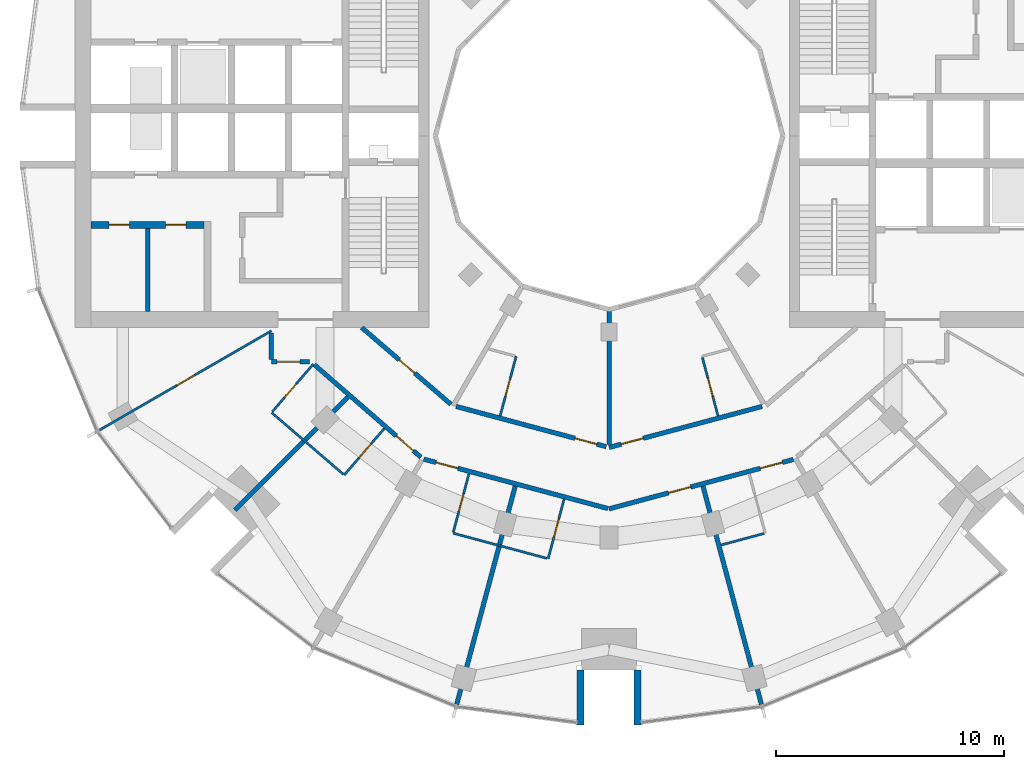
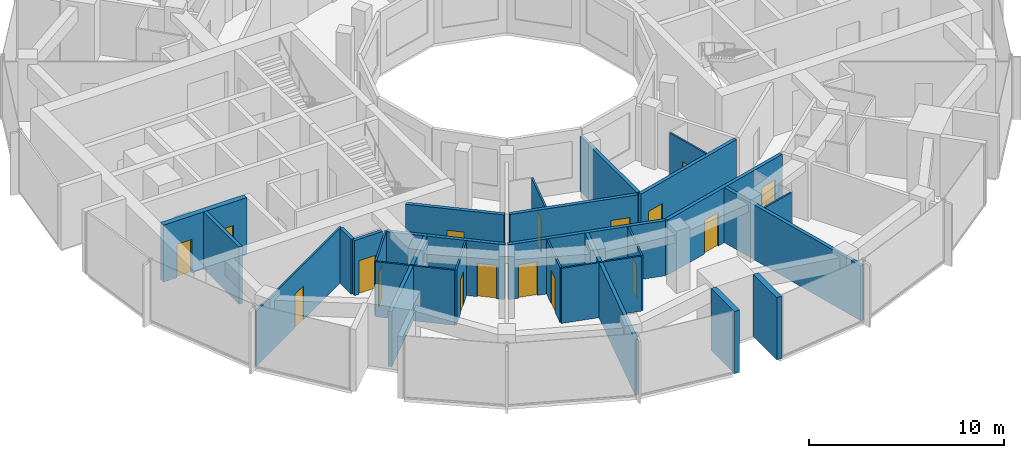
# One storey, part 8 of 15: 26 walls, 17 doors, 17 openings.
"""IFC4 building model written with IfcOpenShell, lengths in metres."""

from ifc_helpers import new_model, si_unit, direction, frame, frame_2d, origin, place, context, subcontext, project, spatial, rectangle, extrude, material, layer, layer_set, type_object, element, fill, save


model = new_model("IFC4")

# Units and contexts
model_context = context("Model", 3, precision=1e-05, world=origin(), true_north=direction((0.0, 1.0)))
body_context = subcontext(model_context, "Body", "Model", "MODEL_VIEW")
ifc_project = project(units=[si_unit("LENGTHUNIT", "METRE"), si_unit("AREAUNIT", "SQUARE_METRE"), si_unit("VOLUMEUNIT", "CUBIC_METRE"), si_unit("PLANEANGLEUNIT", "RADIAN"), si_unit("MASSUNIT", "GRAM", prefix="KILO")], contexts=[model_context])

# Site, building, storey
site_placement = place(None, origin())
site = spatial("IfcSite", under=ifc_project, at=site_placement, CompositionType="ELEMENT")
building_placement = place(site_placement, origin())
building = spatial("IfcBuilding", under=site, at=building_placement, Name="Torre Brocal", CompositionType="ELEMENT")
storey_placement = place(building_placement, frame((0.0, 0.0, 114.60009765625)))
storey = spatial("IfcBuildingStorey", under=building, at=storey_placement, Name="L26", CompositionType="ELEMENT", Elevation=114.60009765625)

# Wall
ifc_material_1 = material(Name="Masonry block", Category="masonry")
ifc_layer_1 = layer(ifc_material_1, 0.199951171875)
ifc_layer_set_1 = layer_set([ifc_layer_1], Name="Masonry block")
wall_type_1 = type_object("IfcWallType", Name="CORE PARTITION 200", PredefinedType="PARTITIONING", material=ifc_layer_set_1)
wall_1_placement = place(storey_placement, frame((59.77490234375, 70.949951171875, 0.0), z_axis=(0.0, 0.0, 1.0), x_axis=(0.0, -1.0, 0.0)))
element("IfcWall", 1, at=wall_1_placement, inside=storey, type_object=wall_type_1, Name="Wall CP200", PredefinedType="PARTITIONING", context=body_context, shape_type="SweptSolid", body=[
    extrude(rectangle(XDim=3.64990234375, YDim=0.199951171875, at=frame_2d((1.824951171875, 0.0))), origin(), (0.0, 0.0, 1.0), 3.579833984375),
])

# Wall, openings, doors
ifc_material_2 = material(Name="Concrete C70", Category="concrete")
ifc_layer_2 = layer(ifc_material_2, 0.300048828125)
ifc_layer_set_2 = layer_set([ifc_layer_2], Name="Concrete C70")
wall_type_2 = type_object("IfcWallType", Name="CORE WALL 300 C70", PredefinedType="SHEAR", material=ifc_layer_set_2)
wall_2_placement = place(storey_placement, frame((62.25, 71.10009765625, 0.0), z_axis=(0.0, 0.0, 1.0), x_axis=(-1.0, 0.0, 0.0)))
wall_2 = element("IfcWall", 2, at=wall_2_placement, inside=storey, type_object=wall_type_2, Name="Wall CW300-70", PredefinedType="SHEAR", context=body_context, shape_type="SweptSolid", body=[
    extrude(rectangle(XDim=4.949951171875, YDim=0.300048828125, at=frame_2d((2.47509765625, 0.0))), origin(), (0.0, 0.0, 1.0), 3.579833984375),
])
opening_1_placement = place(wall_2_placement, frame((0.78759765625, 0.0, 0.0)))
opening_1 = element("IfcOpeningElement", 3, at=opening_1_placement, cuts=wall_2, Name="Opening W-D05", PredefinedType="OPENING", context=body_context, shape_type="SweptSolid", body=[
    extrude(rectangle(XDim=0.89990234375, YDim=2.10009765625, at=frame_2d((0.449951171875, 1.050048828125))), frame((0.0, 0.159912109375, 0.0), z_axis=(0.0, -1.0, 0.0), x_axis=(1.0, 0.0, 0.0)), (0.0, 0.0, 1.0), 0.320068359375),
])
opening_2_placement = place(wall_2_placement, frame((3.262451171875, 0.0, 0.0)))
opening_2 = element("IfcOpeningElement", 4, at=opening_2_placement, cuts=wall_2, Name="Opening W-D06", PredefinedType="OPENING", context=body_context, shape_type="SweptSolid", body=[
    extrude(rectangle(XDim=0.89990234375, YDim=2.10009765625, at=frame_2d((0.449951171875, 1.050048828125))), frame((0.0, 0.159912109375, 0.0), z_axis=(0.0, -1.0, 0.0), x_axis=(1.0, 0.0, 0.0)), (0.0, 0.0, 1.0), 0.320068359375),
])
ifc_material_3 = material(Name="Steel A653", Category="steel")
door_type_1 = type_object("IfcDoorType", Name="ROOM DOOR FD30S 900X2100", OperationType="SINGLE_SWING_LEFT", PredefinedType="DOOR", material=ifc_material_3)
door_1_placement = place(opening_1_placement, origin())
door_1 = element("IfcDoor", 5, at=door_1_placement, inside=storey, type_object=door_type_1, Name="Door W-D05", OperationType="SINGLE_SWING_RIGHT", OverallHeight=2.10009765625, OverallWidth=0.89990234375, PredefinedType="DOOR", context=body_context, shape_type="SweptSolid", body=[
    extrude(rectangle(XDim=0.89990234375, YDim=2.10009765625, at=frame_2d((0.449951171875, 1.050048828125))), frame((0.0, 0.02490234375, 0.0), z_axis=(0.0, -1.0, 0.0), x_axis=(1.0, 0.0, 0.0)), (0.0, 0.0, 1.0), 0.050048828125),
])
fill(opening_1, door_1)
door_2_placement = place(opening_2_placement, origin())
door_2 = element("IfcDoor", 6, at=door_2_placement, inside=storey, type_object=door_type_1, Name="Door W-D06", OperationType="SINGLE_SWING_LEFT", OverallHeight=2.10009765625, OverallWidth=0.89990234375, PredefinedType="DOOR", context=body_context, shape_type="SweptSolid", body=[
    extrude(rectangle(XDim=0.89990234375, YDim=2.10009765625, at=frame_2d((0.449951171875, 1.050048828125))), frame((0.0, 0.02490234375, 0.0), z_axis=(0.0, -1.0, 0.0), x_axis=(1.0, 0.0, 0.0)), (0.0, 0.0, 1.0), 0.050048828125),
])
fill(opening_2, door_2)

# Walls
ifc_material_4 = material(Name="Concrete C70", Category="concrete")
ifc_layer_3 = layer(ifc_material_4, 0.300048828125)
ifc_layer_set_3 = layer_set([ifc_layer_3], Name="Concrete C70")
wall_type_3 = type_object("IfcWallType", Name="NOTCH RETURN WALL 300 C70", PredefinedType="NOTDEFINED", material=ifc_layer_set_3)
for number, where, z_axis, x_axis, name in (
    (7, (78.75, 51.60009765625, 0.0), (0.0, 0.0, 1.0), (0.0, -1.0, 0.0), "NOTCH RETURN WALL"),
    (8, (81.25, 51.60009765625, 0.0), (0.0, 0.0, 1.0), (0.0, -1.0, 0.0), "NOTCH RETURN WALL"),
):
    element("IfcWall", number, at=place(storey_placement, frame(where, z_axis=z_axis, x_axis=x_axis)), inside=storey, type_object=wall_type_3, Name=name, PredefinedType="NOTDEFINED", context=body_context, shape_type="SweptSolid", body=[
        extrude(rectangle(XDim=2.415771484375, YDim=0.300048828125, at=frame_2d((1.2080078125, 0.0))), origin(), (0.0, 0.0, 1.0), 3.89990234375),
    ])

# Wall, opening, door
ifc_material_5 = material(Name="Gypsum board", Category="Gypsum")
ifc_layer_4 = layer(ifc_material_5, 0.10009765625)
ifc_layer_set_4 = layer_set([ifc_layer_4], Name="Gypsum board")
wall_type_4 = type_object("IfcWallType", Name="PARTITION 100", PredefinedType="PARTITIONING", material=ifc_layer_set_4)
wall_3_placement = place(storey_placement, frame((57.65869140625, 62.10107421875, 0.0), z_axis=(0.0, 0.0, 1.0), x_axis=(0.86602264145, 0.500004784474, 0.0)))
wall_3 = element("IfcWall", 9, at=wall_3_placement, inside=storey, type_object=wall_type_4, Name="ROOM PARTITION", PredefinedType="PARTITIONING", context=body_context, shape_type="SweptSolid", body=[
    extrude(rectangle(XDim=8.7080078125, YDim=0.10009765625, at=frame_2d((4.35400390625, 0.0))), origin(), (0.0, 0.0, 1.0), 3.449951171875),
])
opening_3_placement = place(wall_3_placement, frame((3.928955078125, 0.0, 0.0)))
opening_3 = element("IfcOpeningElement", 10, at=opening_3_placement, cuts=wall_3, Name="Opening E01-D34", PredefinedType="OPENING", context=body_context, shape_type="SweptSolid", body=[
    extrude(rectangle(XDim=0.89990234375, YDim=2.10009765625, at=frame_2d((0.449951171875, 1.050048828125))), frame((0.0, 0.06005859375, 0.0), z_axis=(0.0, -1.0, 0.0), x_axis=(1.0, 0.0, 0.0)), (0.0, 0.0, 1.0), 0.1201171875),
])
ifc_material_6 = material(Name="Timber", Category="wood")
door_type_2 = type_object("IfcDoorType", Name="ROOM DOOR 900X2100", OperationType="SINGLE_SWING_LEFT", PredefinedType="DOOR", material=ifc_material_6)
door_3_placement = place(opening_3_placement, origin())
door_3 = element("IfcDoor", 11, at=door_3_placement, inside=storey, type_object=door_type_2, Name="E01-D34", OperationType="SINGLE_SWING_RIGHT", OverallHeight=2.10009765625, OverallWidth=0.89990234375, PredefinedType="DOOR", context=body_context, shape_type="SweptSolid", body=[
    extrude(rectangle(XDim=0.89990234375, YDim=2.10009765625, at=frame_2d((0.449951171875, 1.050048828125))), frame((0.0, 0.02490234375, 0.0), z_axis=(0.0, -1.0, 0.0), x_axis=(1.0, 0.0, 0.0)), (0.0, 0.0, 1.0), 0.050048828125),
])
fill(opening_3, door_3)

wall_4_placement = place(storey_placement, frame((65.24169921875, 62.911865234375, 0.0), z_axis=(0.0, 0.0, 1.0), x_axis=(0.652069888227, 0.758158862553, 0.0)))
wall_4 = element("IfcWall", 12, at=wall_4_placement, inside=storey, type_object=wall_type_4, Name="BATHROOM WALL", PredefinedType="PARTITIONING", context=body_context, shape_type="SweptSolid", body=[
    extrude(rectangle(XDim=2.75, YDim=0.10009765625, at=frame_2d((1.375, 0.0))), origin(), (0.0, 0.0, 1.0), 3.449951171875),
])
opening_4_placement = place(wall_4_placement, frame((0.800048828125, 0.0, 0.0)))
opening_4 = element("IfcOpeningElement", 13, at=opening_4_placement, cuts=wall_4, Name="Opening E01-D33", PredefinedType="OPENING", context=body_context, shape_type="SweptSolid", body=[
    extrude(rectangle(XDim=0.800048828125, YDim=2.10009765625, at=frame_2d((0.39990234375, 1.050048828125))), frame((0.0, 0.06005859375, 0.0), z_axis=(0.0, -1.0, 0.0), x_axis=(1.0, 0.0, 0.0)), (0.0, 0.0, 1.0), 0.1201171875),
])
ifc_material_7 = material(Name="Timber", Category="wood")
door_type_3 = type_object("IfcDoorType", Name="BATHROOM DOOR 800X2100", OperationType="SINGLE_SWING_LEFT", PredefinedType="DOOR", material=ifc_material_7)
door_4_placement = place(opening_4_placement, frame((0.800048828125, 0.0, 0.0), z_axis=(0.0, 0.0, 1.0), x_axis=(-1.0, 0.0, 0.0)))
door_4 = element("IfcDoor", 14, at=door_4_placement, inside=storey, type_object=door_type_3, Name="E01-D33", OperationType="SINGLE_SWING_RIGHT", OverallHeight=2.10009765625, OverallWidth=0.800048828125, PredefinedType="DOOR", context=body_context, shape_type="SweptSolid", body=[
    extrude(rectangle(XDim=0.800048828125, YDim=2.10009765625, at=frame_2d((0.39990234375, 1.050048828125))), frame((0.0, 0.02490234375, 0.0), z_axis=(0.0, -1.0, 0.0), x_axis=(1.0, 0.0, 0.0)), (0.0, 0.0, 1.0), 0.050048828125),
])
fill(opening_4, door_4)

# Wall
wall_5_placement = place(storey_placement, frame((65.209228515625, 62.87451171875, 0.0), z_axis=(0.0, 0.0, 1.0), x_axis=(0.757930378138, -0.652335451969, 0.0)))
element("IfcWall", 15, at=wall_5_placement, inside=storey, type_object=wall_type_4, Name="BATHROOM WALL", PredefinedType="PARTITIONING", context=body_context, shape_type="SweptSolid", body=[
    extrude(rectangle(XDim=4.150146484375, YDim=0.10009765625, at=frame_2d((2.0751953125, 0.0))), origin(), (0.0, 0.0, 1.0), 3.449951171875),
])

# Wall, opening, door
wall_6_placement = place(storey_placement, frame((68.39306640625, 60.135009765625, 0.0), z_axis=(0.0, 0.0, 1.0), x_axis=(0.652061182569, 0.758166349944, 0.0)))
wall_6 = element("IfcWall", 16, at=wall_6_placement, inside=storey, type_object=wall_type_4, Name="BATHROOM WALL", PredefinedType="PARTITIONING", context=body_context, shape_type="SweptSolid", body=[
    extrude(rectangle(XDim=2.689697265625, YDim=0.10009765625, at=frame_2d((1.3447265625, 0.0))), origin(), (0.0, 0.0, 1.0), 3.449951171875),
])
opening_5_placement = place(wall_6_placement, frame((1.0, 0.0, 0.0)))
opening_5 = element("IfcOpeningElement", 17, at=opening_5_placement, cuts=wall_6, Name="Opening E01-D31", PredefinedType="OPENING", context=body_context, shape_type="SweptSolid", body=[
    extrude(rectangle(XDim=0.800048828125, YDim=2.10009765625, at=frame_2d((0.39990234375, 1.050048828125))), frame((0.0, 0.06005859375, 0.0), z_axis=(0.0, -1.0, 0.0), x_axis=(1.0, 0.0, 0.0)), (0.0, 0.0, 1.0), 0.1201171875),
])
door_5_placement = place(opening_5_placement, origin())
door_5 = element("IfcDoor", 18, at=door_5_placement, inside=storey, type_object=door_type_3, Name="E01-D31", OperationType="SINGLE_SWING_RIGHT", OverallHeight=2.10009765625, OverallWidth=0.800048828125, PredefinedType="DOOR", context=body_context, shape_type="SweptSolid", body=[
    extrude(rectangle(XDim=0.800048828125, YDim=2.10009765625, at=frame_2d((0.39990234375, 1.050048828125))), frame((0.0, 0.02490234375, 0.0), z_axis=(0.0, -1.0, 0.0), x_axis=(1.0, 0.0, 0.0)), (0.0, 0.0, 1.0), 0.050048828125),
])
fill(opening_5, door_5)

wall_7_placement = place(storey_placement, frame((73.173828125, 57.63623046875, 0.0), z_axis=(0.0, 0.0, 1.0), x_axis=(0.258952498977, 0.96589005755, 0.0)))
wall_7 = element("IfcWall", 19, at=wall_7_placement, inside=storey, type_object=wall_type_4, Name="BATHROOM WALL", PredefinedType="PARTITIONING", context=body_context, shape_type="SweptSolid", body=[
    extrude(rectangle(XDim=2.650146484375, YDim=0.10009765625, at=frame_2d((1.3251953125, 0.0))), origin(), (0.0, 0.0, 1.0), 3.449951171875),
])
opening_6_placement = place(wall_7_placement, frame((0.9501953125, 0.0, 0.0)))
opening_6 = element("IfcOpeningElement", 20, at=opening_6_placement, cuts=wall_7, Name="Opening E01-D29", PredefinedType="OPENING", context=body_context, shape_type="SweptSolid", body=[
    extrude(rectangle(XDim=0.800048828125, YDim=2.10009765625, at=frame_2d((0.39990234375, 1.050048828125))), frame((0.0, 0.06005859375, 0.0), z_axis=(0.0, -1.0, 0.0), x_axis=(1.0, 0.0, 0.0)), (0.0, 0.0, 1.0), 0.1201171875),
])
door_6_placement = place(opening_6_placement, frame((0.800048828125, 0.0, 0.0), z_axis=(0.0, 0.0, 1.0), x_axis=(-1.0, 0.0, 0.0)))
door_6 = element("IfcDoor", 21, at=door_6_placement, inside=storey, type_object=door_type_3, Name="E01-D29", OperationType="SINGLE_SWING_LEFT", OverallHeight=2.10009765625, OverallWidth=0.800048828125, PredefinedType="DOOR", context=body_context, shape_type="SweptSolid", body=[
    extrude(rectangle(XDim=0.800048828125, YDim=2.10009765625, at=frame_2d((0.39990234375, 1.050048828125))), frame((0.0, 0.02490234375, 0.0), z_axis=(0.0, -1.0, 0.0), x_axis=(1.0, 0.0, 0.0)), (0.0, 0.0, 1.0), 0.050048828125),
])
fill(opening_6, door_6)

# Wall
wall_8_placement = place(storey_placement, frame((73.1611328125, 57.58837890625, 0.0), z_axis=(0.0, 0.0, 1.0), x_axis=(0.965858226827, -0.259071198071, 0.0)))
element("IfcWall", 22, at=wall_8_placement, inside=storey, type_object=wall_type_4, Name="BATHROOM WALL", PredefinedType="PARTITIONING", context=body_context, shape_type="SweptSolid", body=[
    extrude(rectangle(XDim=4.260498046875, YDim=0.10009765625, at=frame_2d((2.13037109375, 0.0))), origin(), (0.0, 0.0, 1.0), 3.449951171875),
])

# Wall, opening, door
wall_9_placement = place(storey_placement, frame((75.226806640625, 62.728759765625, 0.0), z_axis=(0.0, 0.0, 1.0), x_axis=(0.258945475746, 0.965891940432, 0.0)))
wall_9 = element("IfcWall", 23, at=wall_9_placement, inside=storey, type_object=wall_type_4, Name="BATHROOM WALL", PredefinedType="PARTITIONING", context=body_context, shape_type="SweptSolid", body=[
    extrude(rectangle(XDim=2.7001953125, YDim=0.10009765625, at=frame_2d((1.35009765625, 0.0))), origin(), (0.0, 0.0, 1.0), 3.449951171875),
])
opening_7_placement = place(wall_9_placement, frame((0.900146484375, 0.0, 0.0)))
opening_7 = element("IfcOpeningElement", 24, at=opening_7_placement, cuts=wall_9, Name="Opening E01-D39", PredefinedType="OPENING", context=body_context, shape_type="SweptSolid", body=[
    extrude(rectangle(XDim=0.800048828125, YDim=2.10009765625, at=frame_2d((0.39990234375, 1.050048828125))), frame((0.0, 0.06005859375, 0.0), z_axis=(0.0, -1.0, 0.0), x_axis=(1.0, 0.0, 0.0)), (0.0, 0.0, 1.0), 0.1201171875),
])
door_7_placement = place(opening_7_placement, origin())
door_7 = element("IfcDoor", 25, at=door_7_placement, inside=storey, type_object=door_type_3, Name="E01-D39", OperationType="SINGLE_SWING_LEFT", OverallHeight=2.10009765625, OverallWidth=0.800048828125, PredefinedType="DOOR", context=body_context, shape_type="SweptSolid", body=[
    extrude(rectangle(XDim=0.800048828125, YDim=2.10009765625, at=frame_2d((0.39990234375, 1.050048828125))), frame((0.0, 0.02490234375, 0.0), z_axis=(0.0, -1.0, 0.0), x_axis=(1.0, 0.0, 0.0)), (0.0, 0.0, 1.0), 0.050048828125),
])
fill(opening_7, door_7)

wall_10_placement = place(storey_placement, frame((77.32861328125, 56.47119140625, 0.0), z_axis=(0.0, 0.0, 1.0), x_axis=(0.259013334072, 0.965873745773, 0.0)))
wall_10 = element("IfcWall", 26, at=wall_10_placement, inside=storey, type_object=wall_type_4, Name="BATHROOM WALL", PredefinedType="PARTITIONING", context=body_context, shape_type="SweptSolid", body=[
    extrude(rectangle(XDim=2.699462890625, YDim=0.10009765625, at=frame_2d((1.349609375, 0.0))), origin(), (0.0, 0.0, 1.0), 3.449951171875),
])
opening_8_placement = place(wall_10_placement, frame((0.999755859375, 0.0, 0.0)))
opening_8 = element("IfcOpeningElement", 27, at=opening_8_placement, cuts=wall_10, Name="Opening E01-D27", PredefinedType="OPENING", context=body_context, shape_type="SweptSolid", body=[
    extrude(rectangle(XDim=0.800048828125, YDim=2.10009765625, at=frame_2d((0.39990234375, 1.050048828125))), frame((0.0, 0.06005859375, 0.0), z_axis=(0.0, -1.0, 0.0), x_axis=(1.0, 0.0, 0.0)), (0.0, 0.0, 1.0), 0.1201171875),
])
door_8_placement = place(opening_8_placement, origin())
door_8 = element("IfcDoor", 28, at=door_8_placement, inside=storey, type_object=door_type_3, Name="E01-D27", OperationType="SINGLE_SWING_RIGHT", OverallHeight=2.10009765625, OverallWidth=0.800048828125, PredefinedType="DOOR", context=body_context, shape_type="SweptSolid", body=[
    extrude(rectangle(XDim=0.800048828125, YDim=2.10009765625, at=frame_2d((0.39990234375, 1.050048828125))), frame((0.0, 0.02490234375, 0.0), z_axis=(0.0, -1.0, 0.0), x_axis=(1.0, 0.0, 0.0)), (0.0, 0.0, 1.0), 0.050048828125),
])
fill(opening_8, door_8)

wall_11_placement = place(storey_placement, frame((84.0869140625, 65.288818359375, 0.0), z_axis=(0.0, 0.0, 1.0), x_axis=(0.258929459649, -0.965896234037, 0.0)))
wall_11 = element("IfcWall", 29, at=wall_11_placement, inside=storey, type_object=wall_type_4, Name="BATHROOM WALL", PredefinedType="PARTITIONING", context=body_context, shape_type="SweptSolid", body=[
    extrude(rectangle(XDim=2.650390625, YDim=0.10009765625, at=frame_2d((1.3251953125, 0.0))), origin(), (0.0, 0.0, 1.0), 3.449951171875),
])
opening_9_placement = place(wall_11_placement, frame((0.9501953125, 0.0, 0.0)))
opening_9 = element("IfcOpeningElement", 30, at=opening_9_placement, cuts=wall_11, Name="Opening E01-D37", PredefinedType="OPENING", context=body_context, shape_type="SweptSolid", body=[
    extrude(rectangle(XDim=0.800048828125, YDim=2.10009765625, at=frame_2d((0.39990234375, 1.050048828125))), frame((0.0, 0.06005859375, 0.0), z_axis=(0.0, -1.0, 0.0), x_axis=(1.0, 0.0, 0.0)), (0.0, 0.0, 1.0), 0.1201171875),
])
door_9_placement = place(opening_9_placement, origin())
door_9 = element("IfcDoor", 31, at=door_9_placement, inside=storey, type_object=door_type_3, Name="E01-D37", OperationType="SINGLE_SWING_RIGHT", OverallHeight=2.10009765625, OverallWidth=0.800048828125, PredefinedType="DOOR", context=body_context, shape_type="SweptSolid", body=[
    extrude(rectangle(XDim=0.800048828125, YDim=2.10009765625, at=frame_2d((0.39990234375, 1.050048828125))), frame((0.0, 0.02490234375, 0.0), z_axis=(0.0, -1.0, 0.0), x_axis=(1.0, 0.0, 0.0)), (0.0, 0.0, 1.0), 0.050048828125),
])
fill(opening_9, door_9)

# Walls
wall_12_placement = place(storey_placement, frame((84.90771484375, 57.06982421875, 0.0), z_axis=(0.0, 0.0, 1.0), x_axis=(0.965853538138, 0.25908867761, 0.0)))
element("IfcWall", 32, at=wall_12_placement, inside=storey, type_object=wall_type_4, Name="BATHROOM WALL", PredefinedType="PARTITIONING", context=body_context, shape_type="SweptSolid", body=[
    extrude(rectangle(XDim=1.94970703125, YDim=0.10009765625, at=frame_2d((0.974853515625, 0.0))), origin(), (0.0, 0.0, 1.0), 3.449951171875),
])
ifc_material_8 = material(Name="Gypsum board", Category="Gypsum")
ifc_layer_5 = layer(ifc_material_8, 0.199951171875)
ifc_layer_set_5 = layer_set([ifc_layer_5], Name="Gypsum board")
wall_type_5 = type_object("IfcWallType", Name="PARTITION 200 EI60", PredefinedType="PARTITIONING", material=ifc_layer_set_5)
wall_13_placement = place(storey_placement, frame((63.595703125, 58.595703125, 0.0), z_axis=(0.0, 0.0, 1.0), x_axis=(0.707106781187, 0.707106781187, 0.0)))
element("IfcWall", 33, at=wall_13_placement, inside=storey, type_object=wall_type_5, Name="BATHROOM WALL", PredefinedType="PARTITIONING", context=body_context, shape_type="SweptSolid", body=[
    extrude(rectangle(XDim=7.00537109375, YDim=0.199951171875, at=frame_2d((3.502685546875, 0.0))), origin(), (0.0, 0.0, 1.0), 3.449951171875),
])
wall_14_placement = place(storey_placement, frame((65.199951171875, 65.199951171875, 0.0), z_axis=(0.0, 0.0, 1.0), x_axis=(0.0, 1.0, 0.0)))
element("IfcWall", 34, at=wall_14_placement, inside=storey, type_object=wall_type_5, Name="GUESTROOM CORRIDOR WALL", PredefinedType="PARTITIONING", context=body_context, shape_type="SweptSolid", body=[
    extrude(rectangle(XDim=1.150146484375, YDim=0.199951171875, at=frame_2d((0.5751953125, 0.0))), origin(), (0.0, 0.0, 1.0), 3.449951171875),
])

# Wall, opening, door
wall_15_placement = place(storey_placement, frame((65.199951171875, 65.10009765625, 0.0), z_axis=(0.0, 0.0, 1.0), x_axis=(1.0, 0.0, 0.0)))
wall_15 = element("IfcWall", 35, at=wall_15_placement, inside=storey, type_object=wall_type_5, Name="GUESTROOM CORRIDOR WALL", PredefinedType="PARTITIONING", context=body_context, shape_type="SweptSolid", body=[
    extrude(rectangle(XDim=1.6650390625, YDim=0.199951171875, at=frame_2d((0.83251953125, 0.0))), origin(), (0.0, 0.0, 1.0), 3.449951171875),
])
opening_10_placement = place(wall_15_placement, frame((0.25, 0.0, 0.0)))
opening_10 = element("IfcOpeningElement", 36, at=opening_10_placement, cuts=wall_15, Name="Opening E01-D32", PredefinedType="OPENING", context=body_context, shape_type="SweptSolid", body=[
    extrude(rectangle(XDim=1.0, YDim=2.10009765625, at=frame_2d((0.5, 1.050048828125))), frame((0.0, 0.10986328125, 0.0), z_axis=(0.0, -1.0, 0.0), x_axis=(1.0, 0.0, 0.0)), (0.0, 0.0, 1.0), 0.219970703125),
])
ifc_material_9 = material(Name="Timber", Category="wood")
door_type_4 = type_object("IfcDoorType", Name="FLAT ENTRY DOOR FD30S 1000X2100", OperationType="SINGLE_SWING_RIGHT", PredefinedType="DOOR", material=ifc_material_9)
door_10_placement = place(opening_10_placement, frame((1.0, 0.0, 0.0), z_axis=(0.0, 0.0, 1.0), x_axis=(-1.0, 0.0, 0.0)))
door_10 = element("IfcDoor", 37, at=door_10_placement, inside=storey, type_object=door_type_4, Name="E01-D32", OperationType="SINGLE_SWING_RIGHT", OverallHeight=2.10009765625, OverallWidth=1.0, PredefinedType="DOOR", context=body_context, shape_type="SweptSolid", body=[
    extrude(rectangle(XDim=1.0, YDim=2.10009765625, at=frame_2d((0.5, 1.050048828125))), frame((0.0, 0.02490234375, 0.0), z_axis=(0.0, -1.0, 0.0), x_axis=(1.0, 0.0, 0.0)), (0.0, 0.0, 1.0), 0.050048828125),
])
fill(opening_10, door_10)

wall_16_placement = place(storey_placement, frame((67.081298828125, 64.97119140625, 0.0), z_axis=(0.0, 0.0, 1.0), x_axis=(0.755031061605, -0.65568902386, 0.0)))
wall_16 = element("IfcWall", 38, at=wall_16_placement, inside=storey, type_object=wall_type_5, Name="GUESTROOM CORRIDOR WALL", PredefinedType="PARTITIONING", context=body_context, shape_type="SweptSolid", body=[
    extrude(rectangle(XDim=6.185791015625, YDim=0.199951171875, at=frame_2d((3.0927734375, 0.0))), origin(), (0.0, 0.0, 1.0), 3.449951171875),
])
opening_11_placement = place(wall_16_placement, frame((4.755126953125, 0.0, 0.0)))
opening_11 = element("IfcOpeningElement", 39, at=opening_11_placement, cuts=wall_16, Name="Opening E01-D30", PredefinedType="OPENING", context=body_context, shape_type="SweptSolid", body=[
    extrude(rectangle(XDim=1.0, YDim=2.10009765625, at=frame_2d((0.5, 1.050048828125))), frame((0.0, 0.10986328125, 0.0), z_axis=(0.0, -1.0, 0.0), x_axis=(1.0, 0.0, 0.0)), (0.0, 0.0, 1.0), 0.219970703125),
])
door_11_placement = place(opening_11_placement, frame((1.0, 0.0, 0.0), z_axis=(0.0, 0.0, 1.0), x_axis=(-1.0, 0.0, 0.0)))
door_11 = element("IfcDoor", 40, at=door_11_placement, inside=storey, type_object=door_type_4, Name="E01-D30", OperationType="SINGLE_SWING_LEFT", OverallHeight=2.10009765625, OverallWidth=1.0, PredefinedType="DOOR", context=body_context, shape_type="SweptSolid", body=[
    extrude(rectangle(XDim=1.0, YDim=2.10009765625, at=frame_2d((0.5, 1.050048828125))), frame((0.0, 0.02490234375, 0.0), z_axis=(0.0, -1.0, 0.0), x_axis=(1.0, 0.0, 0.0)), (0.0, 0.0, 1.0), 0.050048828125),
])
fill(opening_11, door_11)

wall_17_placement = place(storey_placement, frame((69.157958984375, 66.60009765625, 0.0), z_axis=(0.0, 0.0, 1.0), x_axis=(0.758063092745, -0.652181222835, 0.0)))
wall_17 = element("IfcWall", 41, at=wall_17_placement, inside=storey, type_object=wall_type_5, Name="CORRIDOR WALL", PredefinedType="PARTITIONING", context=body_context, shape_type="SweptSolid", body=[
    extrude(rectangle(XDim=5.160400390625, YDim=0.199951171875, at=frame_2d((2.580078125, 0.0))), origin(), (0.0, 0.0, 1.0), 3.449951171875),
])
opening_12_placement = place(wall_17_placement, frame((2.165283203125, 0.0, 0.0)))
opening_12 = element("IfcOpeningElement", 42, at=opening_12_placement, cuts=wall_17, Name="Opening E01-D40", PredefinedType="OPENING", context=body_context, shape_type="SweptSolid", body=[
    extrude(rectangle(XDim=0.89990234375, YDim=2.10009765625, at=frame_2d((0.449951171875, 1.050048828125))), frame((0.0, 0.10986328125, 0.0), z_axis=(0.0, -1.0, 0.0), x_axis=(1.0, 0.0, 0.0)), (0.0, 0.0, 1.0), 0.219970703125),
])
door_12_placement = place(opening_12_placement, origin())
door_12 = element("IfcDoor", 43, at=door_12_placement, inside=storey, type_object=door_type_2, Name="E01-D40", OperationType="SINGLE_SWING_LEFT", OverallHeight=2.10009765625, OverallWidth=0.89990234375, PredefinedType="DOOR", context=body_context, shape_type="SweptSolid", body=[
    extrude(rectangle(XDim=0.89990234375, YDim=2.10009765625, at=frame_2d((0.449951171875, 1.050048828125))), frame((0.0, 0.02490234375, 0.0), z_axis=(0.0, -1.0, 0.0), x_axis=(1.0, 0.0, 0.0)), (0.0, 0.0, 1.0), 0.050048828125),
])
fill(opening_12, door_12)

wall_18_placement = place(storey_placement, frame((71.877197265625, 60.831787109375, 0.0), z_axis=(0.0, 0.0, 1.0), x_axis=(0.965857276008, -0.259074742848, 0.0)))
wall_18 = element("IfcWall", 44, at=wall_18_placement, inside=storey, type_object=wall_type_5, Name="GUESTROOM CORRIDOR WALL", PredefinedType="PARTITIONING", context=body_context, shape_type="SweptSolid", body=[
    extrude(rectangle(XDim=8.359619140625, YDim=0.199951171875, at=frame_2d((4.1796875, 0.0))), origin(), (0.0, 0.0, 1.0), 3.449951171875),
])
opening_13_placement = place(wall_18_placement, frame((0.550048828125, 0.0, 0.0)))
opening_13 = element("IfcOpeningElement", 45, at=opening_13_placement, cuts=wall_18, Name="Opening E01-D28", PredefinedType="OPENING", context=body_context, shape_type="SweptSolid", body=[
    extrude(rectangle(XDim=1.0, YDim=2.10009765625, at=frame_2d((0.5, 1.050048828125))), frame((0.0, 0.10986328125, 0.0), z_axis=(0.0, -1.0, 0.0), x_axis=(1.0, 0.0, 0.0)), (0.0, 0.0, 1.0), 0.219970703125),
])
door_13_placement = place(opening_13_placement, frame((1.0, 0.0, 0.0), z_axis=(0.0, 0.0, 1.0), x_axis=(-1.0, 0.0, 0.0)))
door_13 = element("IfcDoor", 46, at=door_13_placement, inside=storey, type_object=door_type_4, Name="E01-D28", OperationType="SINGLE_SWING_LEFT", OverallHeight=2.10009765625, OverallWidth=1.0, PredefinedType="DOOR", context=body_context, shape_type="SweptSolid", body=[
    extrude(rectangle(XDim=1.0, YDim=2.10009765625, at=frame_2d((0.5, 1.050048828125))), frame((0.0, 0.02490234375, 0.0), z_axis=(0.0, -1.0, 0.0), x_axis=(1.0, 0.0, 0.0)), (0.0, 0.0, 1.0), 0.050048828125),
])
fill(opening_13, door_13)

wall_19_placement = place(storey_placement, frame((73.296875, 63.142578125, 0.0), z_axis=(0.0, 0.0, 1.0), x_axis=(0.965859030528, -0.25906820173, 0.0)))
wall_19 = element("IfcWall", 47, at=wall_19_placement, inside=storey, type_object=wall_type_5, Name="GUESTROOM CORRIDOR WALL", PredefinedType="PARTITIONING", context=body_context, shape_type="SweptSolid", body=[
    extrude(rectangle(XDim=6.8095703125, YDim=0.199951171875, at=frame_2d((3.40478515625, 0.0))), origin(), (0.0, 0.0, 1.0), 3.449951171875),
])
opening_14_placement = place(wall_19_placement, frame((5.3896484375, 0.0, 0.0)))
opening_14 = element("IfcOpeningElement", 48, at=opening_14_placement, cuts=wall_19, Name="Opening E01-D38", PredefinedType="OPENING", context=body_context, shape_type="SweptSolid", body=[
    extrude(rectangle(XDim=1.0, YDim=2.10009765625, at=frame_2d((0.5, 1.050048828125))), frame((0.0, 0.10986328125, 0.0), z_axis=(0.0, -1.0, 0.0), x_axis=(1.0, 0.0, 0.0)), (0.0, 0.0, 1.0), 0.219970703125),
])
door_14_placement = place(opening_14_placement, origin())
door_14 = element("IfcDoor", 49, at=door_14_placement, inside=storey, type_object=door_type_4, Name="E01-D38", OperationType="SINGLE_SWING_RIGHT", OverallHeight=2.10009765625, OverallWidth=1.0, PredefinedType="DOOR", context=body_context, shape_type="SweptSolid", body=[
    extrude(rectangle(XDim=1.0, YDim=2.10009765625, at=frame_2d((0.5, 1.050048828125))), frame((0.0, 0.02490234375, 0.0), z_axis=(0.0, -1.0, 0.0), x_axis=(1.0, 0.0, 0.0)), (0.0, 0.0, 1.0), 0.050048828125),
])
fill(opening_14, door_14)

# Wall
wall_20_placement = place(storey_placement, frame((73.32080078125, 50.082275390625, 0.0), z_axis=(0.0, 0.0, 1.0), x_axis=(0.259057928998, 0.96586178588, 0.0)))
element("IfcWall", 50, at=wall_20_placement, inside=storey, type_object=wall_type_5, Name="BATHROOM WALL", PredefinedType="PARTITIONING", context=body_context, shape_type="SweptSolid", body=[
    extrude(rectangle(XDim=9.90869140625, YDim=0.199951171875, at=frame_2d((4.954345703125, 0.0))), origin(), (0.0, 0.0, 1.0), 3.449951171875),
])

# Wall, openings, doors
wall_21_placement = place(storey_placement, frame((79.999755859375, 58.65478515625, 0.0), z_axis=(0.0, 0.0, 1.0), x_axis=(0.965967338894, 0.258664068224, 0.0)))
wall_21 = element("IfcWall", 51, at=wall_21_placement, inside=storey, type_object=wall_type_5, Name="GUESTROOM CORRIDOR WALL", PredefinedType="PARTITIONING", context=body_context, shape_type="SweptSolid", body=[
    extrude(rectangle(XDim=8.359619140625, YDim=0.199951171875, at=frame_2d((4.1796875, 0.0))), origin(), (0.0, 0.0, 1.0), 3.449951171875),
])
opening_15_placement = place(wall_21_placement, frame((6.859619140625, 0.0, 0.0)))
opening_15 = element("IfcOpeningElement", 52, at=opening_15_placement, cuts=wall_21, Name="Opening E01-D24", PredefinedType="OPENING", context=body_context, shape_type="SweptSolid", body=[
    extrude(rectangle(XDim=1.0, YDim=2.10009765625, at=frame_2d((0.5, 1.050048828125))), frame((0.0, 0.10986328125, 0.0), z_axis=(0.0, -1.0, 0.0), x_axis=(1.0, 0.0, 0.0)), (0.0, 0.0, 1.0), 0.219970703125),
])
opening_16_placement = place(wall_21_placement, frame((2.69970703125, 0.0, 0.0)))
opening_16 = element("IfcOpeningElement", 53, at=opening_16_placement, cuts=wall_21, Name="Opening E01-D26", PredefinedType="OPENING", context=body_context, shape_type="SweptSolid", body=[
    extrude(rectangle(XDim=1.0, YDim=2.10009765625, at=frame_2d((0.5, 1.050048828125))), frame((0.0, 0.10986328125, 0.0), z_axis=(0.0, -1.0, 0.0), x_axis=(1.0, 0.0, 0.0)), (0.0, 0.0, 1.0), 0.219970703125),
])
door_15_placement = place(opening_15_placement, frame((1.0, 0.0, 0.0), z_axis=(0.0, 0.0, 1.0), x_axis=(-1.0, 0.0, 0.0)))
door_15 = element("IfcDoor", 54, at=door_15_placement, inside=storey, type_object=door_type_4, Name="E01-D24", OperationType="SINGLE_SWING_RIGHT", OverallHeight=2.10009765625, OverallWidth=1.0, PredefinedType="DOOR", context=body_context, shape_type="SweptSolid", body=[
    extrude(rectangle(XDim=1.0, YDim=2.10009765625, at=frame_2d((0.5, 1.050048828125))), frame((0.0, 0.02490234375, 0.0), z_axis=(0.0, -1.0, 0.0), x_axis=(1.0, 0.0, 0.0)), (0.0, 0.0, 1.0), 0.050048828125),
])
fill(opening_15, door_15)
door_16_placement = place(opening_16_placement, frame((1.0, 0.0, 0.0), z_axis=(0.0, 0.0, 1.0), x_axis=(-1.0, 0.0, 0.0)))
door_16 = element("IfcDoor", 55, at=door_16_placement, inside=storey, type_object=door_type_4, Name="E01-D26", OperationType="SINGLE_SWING_LEFT", OverallHeight=2.10009765625, OverallWidth=1.0, PredefinedType="DOOR", context=body_context, shape_type="SweptSolid", body=[
    extrude(rectangle(XDim=1.0, YDim=2.10009765625, at=frame_2d((0.5, 1.050048828125))), frame((0.0, 0.02490234375, 0.0), z_axis=(0.0, -1.0, 0.0), x_axis=(1.0, 0.0, 0.0)), (0.0, 0.0, 1.0), 0.050048828125),
])
fill(opening_16, door_16)

# Wall
wall_22_placement = place(storey_placement, frame((80.0, 61.47607421875, 0.0), z_axis=(0.0, 0.0, 1.0), x_axis=(0.0, 1.0, 0.0)))
element("IfcWall", 56, at=wall_22_placement, inside=storey, type_object=wall_type_5, Name="PARTY PARTITION", PredefinedType="PARTITIONING", context=body_context, shape_type="SweptSolid", body=[
    extrude(rectangle(XDim=5.824951171875, YDim=0.199951171875, at=frame_2d((2.91259765625, 0.0))), origin(), (0.0, 0.0, 1.0), 3.449951171875),
])

# Wall, opening, door
wall_23_placement = place(storey_placement, frame((80.0, 61.345947265625, 0.0), z_axis=(0.0, 0.0, 1.0), x_axis=(0.965924181808, 0.258825182312, 0.0)))
wall_23 = element("IfcWall", 57, at=wall_23_placement, inside=storey, type_object=wall_type_5, Name="GUESTROOM CORRIDOR WALL", PredefinedType="PARTITIONING", context=body_context, shape_type="SweptSolid", body=[
    extrude(rectangle(XDim=6.939697265625, YDim=0.199951171875, at=frame_2d((3.4697265625, 0.0))), origin(), (0.0, 0.0, 1.0), 3.449951171875),
])
opening_17_placement = place(wall_23_placement, frame((0.550048828125, 0.0, 0.0)))
opening_17 = element("IfcOpeningElement", 58, at=opening_17_placement, cuts=wall_23, Name="Opening E01-D36", PredefinedType="OPENING", context=body_context, shape_type="SweptSolid", body=[
    extrude(rectangle(XDim=1.0, YDim=2.10009765625, at=frame_2d((0.5, 1.050048828125))), frame((0.0, 0.10986328125, 0.0), z_axis=(0.0, -1.0, 0.0), x_axis=(1.0, 0.0, 0.0)), (0.0, 0.0, 1.0), 0.219970703125),
])
door_17_placement = place(opening_17_placement, origin())
door_17 = element("IfcDoor", 59, at=door_17_placement, inside=storey, type_object=door_type_4, Name="E01-D36", OperationType="SINGLE_SWING_LEFT", OverallHeight=2.10009765625, OverallWidth=1.0, PredefinedType="DOOR", context=body_context, shape_type="SweptSolid", body=[
    extrude(rectangle(XDim=1.0, YDim=2.10009765625, at=frame_2d((0.5, 1.050048828125))), frame((0.0, 0.02490234375, 0.0), z_axis=(0.0, -1.0, 0.0), x_axis=(1.0, 0.0, 0.0)), (0.0, 0.0, 1.0), 0.050048828125),
])
fill(opening_17, door_17)

# Wall
wall_24_placement = place(storey_placement, frame((84.11181640625, 59.65234375, 0.0), z_axis=(0.0, 0.0, 1.0), x_axis=(0.258838718107, -0.965920554709, 0.0)))
element("IfcWall", 60, at=wall_24_placement, inside=storey, type_object=wall_type_5, Name="BATHROOM WALL", PredefinedType="PARTITIONING", context=body_context, shape_type="SweptSolid", body=[
    extrude(rectangle(XDim=9.908447265625, YDim=0.199951171875, at=frame_2d((4.9541015625, 0.0))), origin(), (0.0, 0.0, 1.0), 3.449951171875),
])

save(model, "model.ifc")
